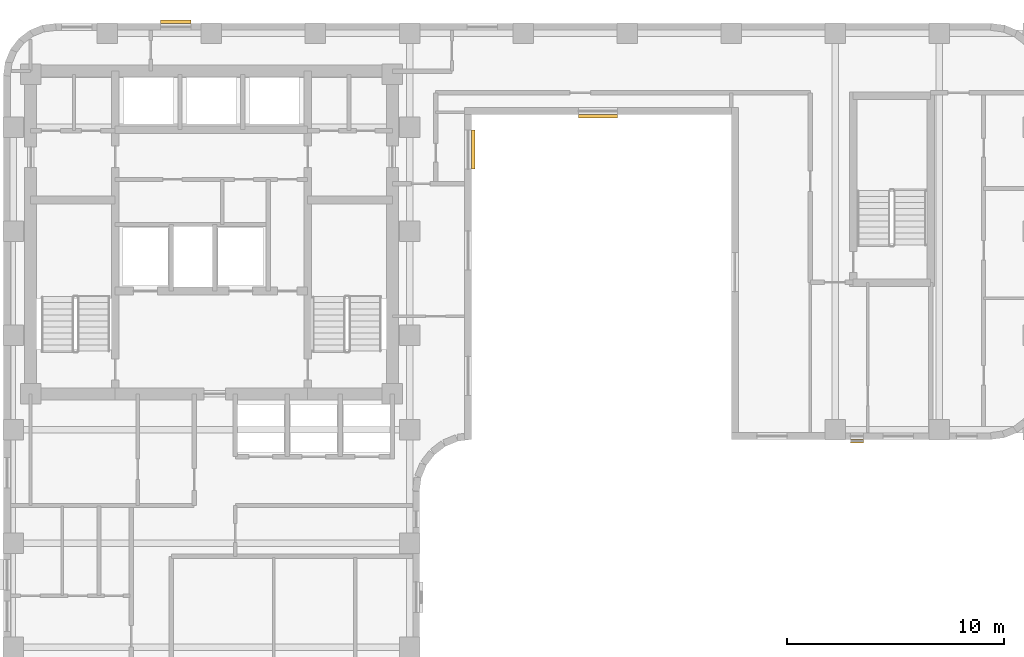
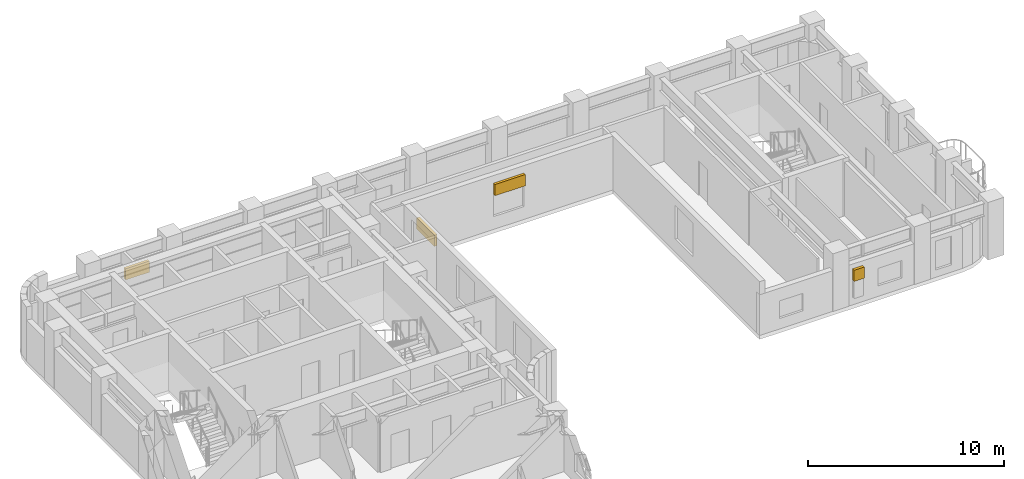
# One storey, part 10 of 10: 4 shading devices.
"""IFC4 building model written with IfcOpenShell, lengths in metres."""

from ifc_helpers import new_model, si_unit, direction, frame, origin, origin_2d, place, context, subcontext, project, spatial, rectangle, extrude, material, type_object, element, save


model = new_model("IFC4")

# Units and contexts
model_context = context("Model", 3, precision=1e-05, world=origin(), true_north=direction((0.0, 1.0)))
body_context = subcontext(model_context, "Body", "Model", "MODEL_VIEW")
ifc_project = project(units=[si_unit("LENGTHUNIT", "METRE"), si_unit("AREAUNIT", "SQUARE_METRE"), si_unit("VOLUMEUNIT", "CUBIC_METRE"), si_unit("PLANEANGLEUNIT", "RADIAN"), si_unit("MASSUNIT", "GRAM", prefix="KILO")], contexts=[model_context])

# Site, building, storey
site_placement = place(None, origin())
site = spatial("IfcSite", under=ifc_project, at=site_placement, CompositionType="ELEMENT")
building_placement = place(site_placement, origin())
building = spatial("IfcBuilding", under=site, at=building_placement, Name="Orvandelia Arch Residences", CompositionType="ELEMENT")
storey_placement = place(building_placement, frame((0.0, 0.0, 182.800048828125)))
storey = spatial("IfcBuildingStorey", under=building, at=storey_placement, Name="L48", CompositionType="ELEMENT", Elevation=182.800048828125)

# Shading devices
ifc_material = material(Name="Anodised Champagne-Bronze Extruded Aluminium", Category="aluminium")
shading_device_type = type_object("IfcShadingDeviceType", Name="SHD-JALOUSIE-SCREEN", PredefinedType="JALOUSIE", material=ifc_material)
shading_device_1_placement = place(storey_placement, frame((12.75244140625, 48.080078125, 1.0498046875), z_axis=(0.0, 0.0, 1.0), x_axis=(1.0, 0.0, 0.0)))
element("IfcShadingDevice", 1, at=shading_device_1_placement, inside=storey, type_object=shading_device_type, Name="Bronze Jalousie Sun-Shade L48-001", PredefinedType="JALOUSIE", context=body_context, shape_type="SweptSolid", body=[
    extrude(rectangle(XDim=1.39990234375, YDim=0.159912109375, at=origin_2d()), origin(), (0.0, 0.0, 1.0), 0.699951171875),
])
shading_device_2_placement = place(storey_placement, frame((44.197509765625, 28.719970703125, 1.5498046875), z_axis=(0.0, 0.0, 1.0), x_axis=(-1.0, 0.0, 0.0)))
element("IfcShadingDevice", 2, at=shading_device_2_placement, inside=storey, type_object=shading_device_type, Name="Bronze Jalousie Sun-Shade L48-003", PredefinedType="JALOUSIE", context=body_context, shape_type="SweptSolid", body=[
    extrude(rectangle(XDim=0.60009765625, YDim=0.159912109375, at=origin_2d()), origin(), (0.0, 0.0, 1.0), 0.699951171875),
])
for number, where, z_axis, x_axis, name in (
    (3, (32.239990234375, 43.719970703125, 2.2001953125), (0.0, 0.0, 1.0), (-1.0, 0.0, 0.0), "Bronze Jalousie Sun-Shade L48-004"),
    (4, (26.47998046875, 42.179931640625, 2.2001953125), (0.0, 0.0, 1.0), (0.0, -1.0, 0.0), "Bronze Jalousie Sun-Shade L48-005"),
):
    element("IfcShadingDevice", number, at=place(storey_placement, frame(where, z_axis=z_axis, x_axis=x_axis)), inside=storey, type_object=shading_device_type, Name=name, PredefinedType="JALOUSIE", context=body_context, shape_type="SweptSolid", body=[
        extrude(rectangle(XDim=1.800048828125, YDim=0.159912109375, at=origin_2d()), origin(), (0.0, 0.0, 1.0), 0.699951171875),
    ])

save(model, "model.ifc")
